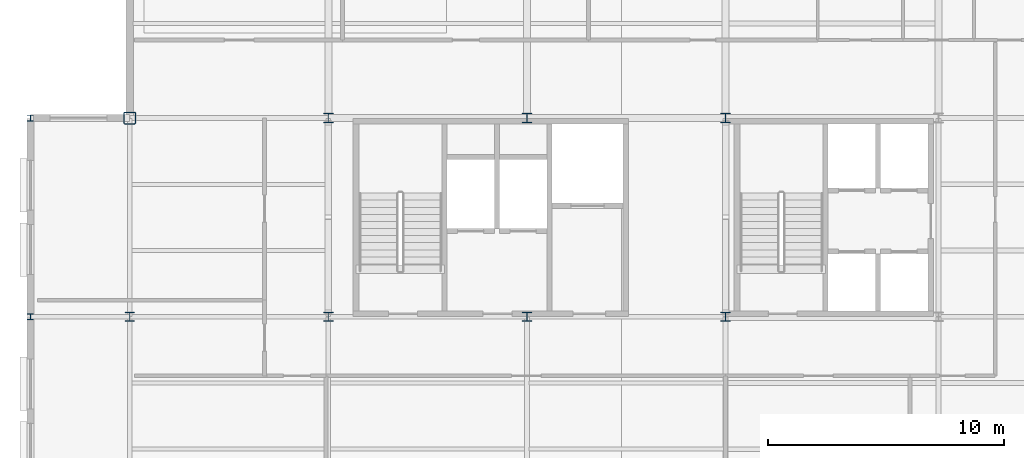
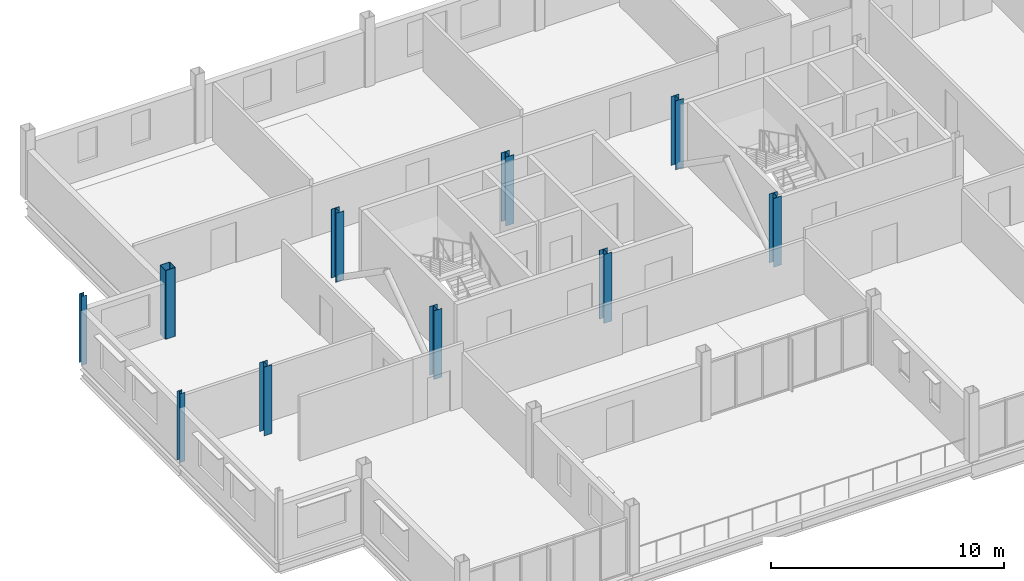
# One storey, part 2 of 20: 10 columns.
"""IFC4 building model written with IfcOpenShell, lengths in metres."""

from ifc_helpers import new_model, si_unit, direction, frame, origin, origin_2d, place, context, subcontext, project, spatial, hollow_rectangle, i_section, extrude, material, material_profile, profile_set, type_object, element, save


model = new_model("IFC4")

# Units and contexts
model_context = context("Model", 3, precision=1e-05, world=origin(), true_north=direction((0.0, 1.0)))
body_context = subcontext(model_context, "Body", "Model", "MODEL_VIEW")
ifc_project = project(units=[si_unit("LENGTHUNIT", "METRE"), si_unit("AREAUNIT", "SQUARE_METRE"), si_unit("VOLUMEUNIT", "CUBIC_METRE"), si_unit("PLANEANGLEUNIT", "RADIAN"), si_unit("MASSUNIT", "GRAM", prefix="KILO")], contexts=[model_context])

# Site, building, storey
site_placement = place(None, origin())
site = spatial("IfcSite", under=ifc_project, at=site_placement, CompositionType="ELEMENT")
building_placement = place(site_placement, origin())
building = spatial("IfcBuilding", under=site, at=building_placement, Name="Yukiwa Park Conservatory and Herbarium", CompositionType="ELEMENT")
storey_placement = place(building_placement, frame((0.0, 0.0, 28.199951171875)))
storey = spatial("IfcBuildingStorey", under=building, at=storey_placement, Name="L07", CompositionType="ELEMENT", Elevation=28.199951171875)

# Columns
ifc_material_1 = material(Name="Steel Q355D", Category="steel")
ifc_material_profile_1 = material_profile(ifc_material_1, i_section(OverallWidth=0.25, OverallDepth=0.25, WebThickness=0.009033203125, FlangeThickness=0.013916015625, FilletRadius=0.01611328125, at=origin_2d()), Name="HW 250x250x9x14")
ifc_profile_set_1 = profile_set([ifc_material_profile_1], Name="Steel Q355D")
column_type_1 = type_object("IfcColumnType", Name="COL-SB-HW250", PredefinedType="COLUMN", material=ifc_profile_set_1)
for number, where, z_axis, x_axis, name in (
    (1, (120.60009765625, 94.800048828125, 0.0), (0.0, 0.0, 1.0), (1.0, 0.0, 0.0), "L07 column V5SB1-X1206-Y948"),
    (2, (120.60009765625, 103.199951171875, 0.0), (0.0, 0.0, 1.0), (1.0, 0.0, 0.0), "L07 column V5SB1-X1206-Y1032"),
):
    element("IfcColumn", number, at=place(storey_placement, frame(where, z_axis=z_axis, x_axis=x_axis)), inside=storey, type_object=column_type_1, Name=name, PredefinedType="COLUMN", context=body_context, shape_type="SweptSolid", body=[
        extrude(i_section(OverallWidth=0.25, OverallDepth=0.25, WebThickness=0.009033203125, FlangeThickness=0.013916015625, FilletRadius=0.01611328125, at=origin_2d()), origin(), (0.0, 0.0, 1.0), 3.60009765625),
    ])
ifc_material_2 = material(Name="Steel Q355D", Category="steel")
ifc_material_profile_2 = material_profile(ifc_material_2, hollow_rectangle(XDim=0.5, YDim=0.5, WallThickness=0.02001953125, InnerFilletRadius=0.02001953125, OuterFilletRadius=0.0400390625, at=origin_2d()), Name="BOX 500x500x20")
ifc_profile_set_2 = profile_set([ifc_material_profile_2], Name="Steel Q355D")
column_type_2 = type_object("IfcColumnType", Name="COL-TW-BOX500-EXT", PredefinedType="COLUMN", material=ifc_profile_set_2)
column_placement = place(storey_placement, frame((124.800048828125, 103.199951171875, 0.0), z_axis=(0.0, 0.0, 1.0), x_axis=(1.0, 0.0, 0.0)))
element("IfcColumn", 3, at=column_placement, inside=storey, type_object=column_type_2, Name="L07 column V5-X1248-Y1032", PredefinedType="COLUMN", context=body_context, shape_type="SweptSolid", body=[
    extrude(hollow_rectangle(XDim=0.5, YDim=0.5, WallThickness=0.02001953125, InnerFilletRadius=0.02001953125, OuterFilletRadius=0.0400390625, at=origin_2d()), origin(), (0.0, 0.0, 1.0), 3.60009765625),
])
ifc_material_3 = material(Name="Steel Q355D", Category="steel")
ifc_material_profile_3 = material_profile(ifc_material_3, i_section(OverallWidth=0.39794921875, OverallDepth=0.39404296875, WebThickness=0.010986328125, FlangeThickness=0.01806640625, FilletRadius=0.02197265625, at=origin_2d()), Name="HW 394x398x11x18")
ifc_profile_set_3 = profile_set([ifc_material_profile_3], Name="Steel Q355D")
column_type_3 = type_object("IfcColumnType", Name="COL-TW-HW394", PredefinedType="COLUMN", material=ifc_profile_set_3)
for number, where, z_axis, x_axis, name in (
    (4, (124.800048828125, 94.800048828125, 0.0), (0.0, 0.0, 1.0), (1.0, 0.0, 0.0), "L07 column V5-X1248-Y948"),
    (5, (133.199951171875, 94.800048828125, 0.0), (0.0, 0.0, 1.0), (1.0, 0.0, 0.0), "L07 column V5-X1332-Y948"),
    (6, (133.199951171875, 103.199951171875, 0.0), (0.0, 0.0, 1.0), (1.0, 0.0, 0.0), "L07 column V5-X1332-Y1032"),
    (7, (141.60009765625, 94.800048828125, 0.0), (0.0, 0.0, 1.0), (1.0, 0.0, 0.0), "L07 column V5-X1416-Y948"),
    (8, (141.60009765625, 103.199951171875, 0.0), (0.0, 0.0, 1.0), (1.0, 0.0, 0.0), "L07 column V5-X1416-Y1032"),
    (9, (150.0, 94.800048828125, 0.0), (0.0, 0.0, 1.0), (1.0, 0.0, 0.0), "L07 column V5-X1500-Y948"),
    (10, (150.0, 103.199951171875, 0.0), (0.0, 0.0, 1.0), (1.0, 0.0, 0.0), "L07 column V5-X1500-Y1032"),
):
    element("IfcColumn", number, at=place(storey_placement, frame(where, z_axis=z_axis, x_axis=x_axis)), inside=storey, type_object=column_type_3, Name=name, PredefinedType="COLUMN", context=body_context, shape_type="SweptSolid", body=[
        extrude(i_section(OverallWidth=0.39794921875, OverallDepth=0.39404296875, WebThickness=0.010986328125, FlangeThickness=0.01806640625, FilletRadius=0.02197265625, at=origin_2d()), origin(), (0.0, 0.0, 1.0), 3.60009765625),
    ])

save(model, "model.ifc")
